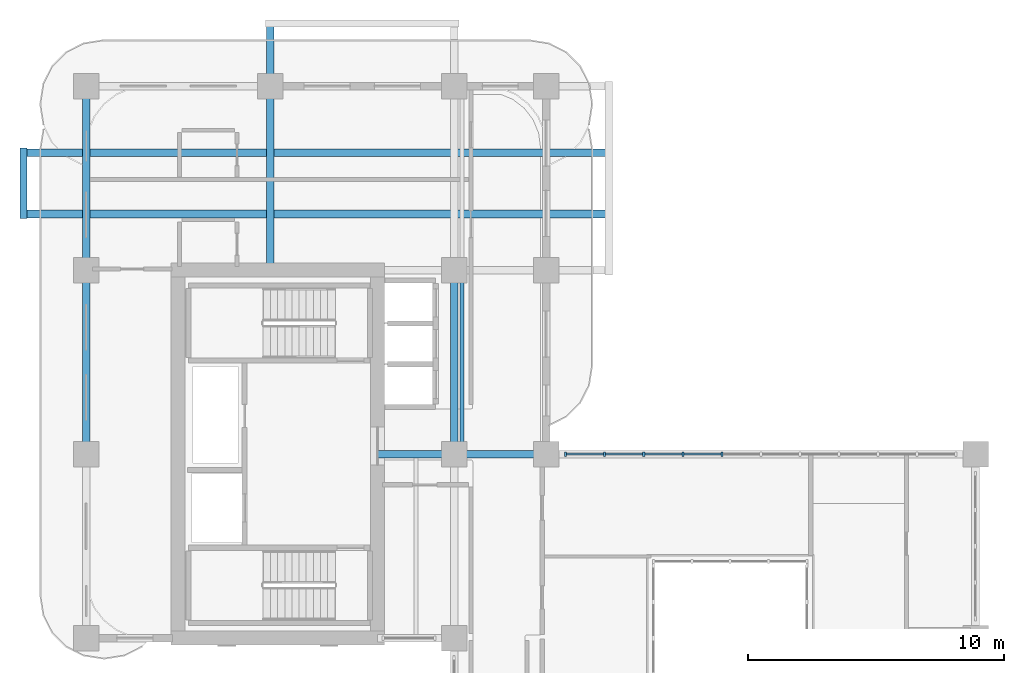
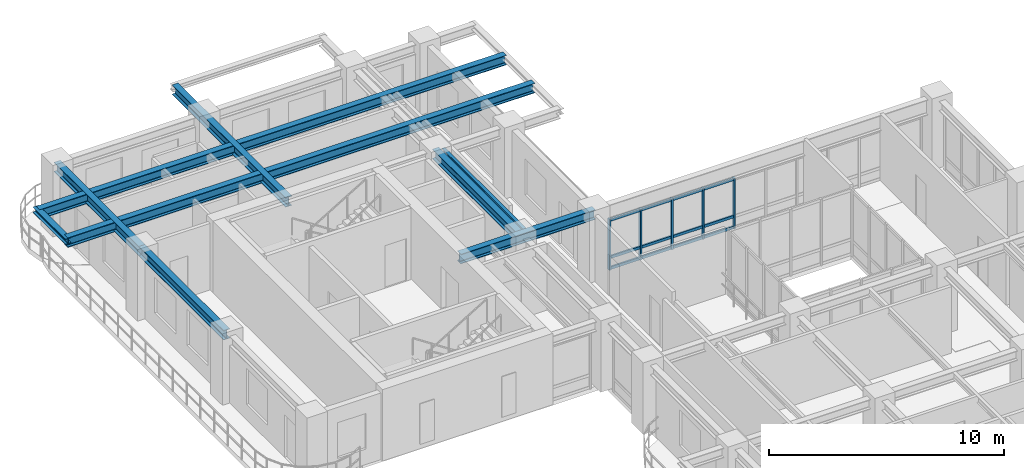
# One storey, part 5 of 20: 17 members, 9 beams, 1 element without a shape of its own.
"""IFC4 building model written with IfcOpenShell, lengths in metres."""

from ifc_helpers import new_model, si_unit, derived_unit, direction, frame, origin, origin_2d, place, context, subcontext, project, spatial, rectangle, i_section, extrude, source, transform, mapped, material, layer, layer_set, material_profile, profile_set, type_object, type_shapes, element, aggregate, save


model = new_model("IFC4")

# Units and contexts
model_context = context("Model", 3, precision=1e-05, world=origin(), true_north=direction((0.0, 1.0)))
body_context = subcontext(model_context, "Body", "Model", "MODEL_VIEW")
ifc_project = project(units=[si_unit("LENGTHUNIT", "METRE"), si_unit("AREAUNIT", "SQUARE_METRE"), si_unit("VOLUMEUNIT", "CUBIC_METRE"), si_unit("PLANEANGLEUNIT", "RADIAN"), si_unit("MASSUNIT", "GRAM", prefix="KILO"), si_unit("THERMODYNAMICTEMPERATUREUNIT", "KELVIN"), si_unit("POWERUNIT", "WATT"), derived_unit("THERMALTRANSMITTANCEUNIT", [(si_unit("POWERUNIT", "WATT"), 1), (si_unit("AREAUNIT", "SQUARE_METRE"), -1), (si_unit("THERMODYNAMICTEMPERATUREUNIT", "KELVIN"), -1)])], contexts=[model_context])

# Site, building, storey
site_placement = place(None, origin())
site = spatial("IfcSite", under=ifc_project, at=site_placement, CompositionType="ELEMENT")
building_placement = place(site_placement, origin())
building = spatial("IfcBuilding", under=site, at=building_placement, Name="Zahravan Archway Hotel and Residences", CompositionType="ELEMENT")
storey_placement = place(building_placement, frame((0.0, 0.0, 126.60009765625)))
storey = spatial("IfcBuildingStorey", under=building, at=storey_placement, Name="L31", CompositionType="ELEMENT", Elevation=126.60009765625)

# Beams
ifc_material_1 = material(Name="Structural Steel S355JR", Category="steel")
ifc_material_profile_1 = material_profile(ifc_material_1, i_section(OverallWidth=0.280029296875, OverallDepth=0.280029296875, WebThickness=0.010498046875, FlangeThickness=0.01806640625, FilletRadius=0.02392578125, at=origin_2d()), Name="HEB 280", Category="steel")
ifc_profile_set_1 = profile_set([ifc_material_profile_1], Name="Structural Steel S355JR")
beam_type_1 = type_object("IfcBeamType", Name="BM-SPN-HEB280", PredefinedType="SPANDREL", material=ifc_profile_set_1)
shared_shape_1 = source(origin(), body_context, "Body", "SweptSolid", [
    extrude(i_section(OverallWidth=0.280029296875, OverallDepth=0.280029296875, WebThickness=0.010498046875, FlangeThickness=0.01806640625, FilletRadius=0.02392578125, at=origin_2d()), origin(), (0.0, 0.0, 1.0), 2.759765625),
])
beam_1_placement = place(storey_placement, frame((-2.449951171875, 41.6201171875, 3.309814453125), z_axis=(0.0, 1.0, 0.0), x_axis=(-1.0, 0.0, 0.0)))
element("IfcBeam", 1, at=beam_1_placement, inside=storey, type_object=beam_type_1, Name="L32 WB Balcony Edge Spandrel", PredefinedType="SPANDREL", context=body_context, shape_type="MappedRepresentation", body=[
    mapped(shared_shape_1, transform((0.0, 0.0, 0.0), scale=1.0)),
])
ifc_material_profile_2 = material_profile(ifc_material_1, i_section(OverallWidth=0.300048828125, OverallDepth=0.5, WebThickness=0.014404296875, FlangeThickness=0.028076171875, FilletRadius=0.027099609375, at=origin_2d()), Name="HEB 500", Category="steel")
ifc_profile_set_2 = profile_set([ifc_material_profile_2], Name="Structural Steel S355JR")
beam_type_2 = type_object("IfcBeamType", Name="BM-PRI-HEB500", PredefinedType="BEAM", material=ifc_profile_set_2)
shared_shape_2 = source(origin(), body_context, "Body", "SweptSolid", [
    extrude(i_section(OverallWidth=0.300048828125, OverallDepth=0.5, WebThickness=0.014404296875, FlangeThickness=0.028076171875, FilletRadius=0.027099609375, at=origin_2d()), origin(), (0.0, 0.0, 1.0), 7.2001953125),
])
type_shapes(beam_type_2, [shared_shape_2])
for number, where, z_axis, x_axis, name in (
    (2, (0.0, 32.39990234375, 3.199951171875), (0.0, 1.0, 0.0), (-1.0, 0.0, 0.0), "L31 Primary Girder NS-25"),
    (3, (14.39990234375, 32.39990234375, 3.199951171875), (0.0, 1.0, 0.0), (-1.0, 0.0, 0.0), "L31 Primary Girder NS-33"),
):
    element("IfcBeam", number, at=place(storey_placement, frame(where, z_axis=z_axis, x_axis=x_axis)), inside=storey, type_object=beam_type_2, Name=name, PredefinedType="BEAM", context=body_context, shape_type="MappedRepresentation", body=[
        mapped(shared_shape_2, transform((0.0, 0.0, 0.0), scale=1.0)),
    ])
shared_shape_3 = source(origin(), body_context, "Body", "SweptSolid", [
    extrude(i_section(OverallWidth=0.300048828125, OverallDepth=0.5, WebThickness=0.014404296875, FlangeThickness=0.028076171875, FilletRadius=0.027099609375, at=origin_2d()), origin(), (0.0, 0.0, 1.0), 7.199951171875),
])
beam_2_placement = place(storey_placement, frame((0.0, 39.60009765625, 3.199951171875), z_axis=(0.0, 1.0, 0.0), x_axis=(-1.0, 0.0, 0.0)))
element("IfcBeam", 4, at=beam_2_placement, inside=storey, type_object=beam_type_2, Name="L31 Primary Girder NS-26", PredefinedType="BEAM", context=body_context, shape_type="MappedRepresentation", body=[
    mapped(shared_shape_3, transform((0.0, 0.0, 0.0), scale=1.0)),
])
shared_shape_4 = source(origin(), body_context, "Body", "SweptSolid", [
    extrude(i_section(OverallWidth=0.300048828125, OverallDepth=0.5, WebThickness=0.014404296875, FlangeThickness=0.028076171875, FilletRadius=0.027099609375, at=origin_2d()), origin(), (0.0, 0.0, 1.0), 6.60009765625),
])
beam_3_placement = place(storey_placement, frame((11.39990234375, 32.39990234375, 3.199951171875), z_axis=(1.0, 0.0, 0.0), x_axis=(0.0, 1.0, 0.0)))
element("IfcBeam", 5, at=beam_3_placement, inside=storey, type_object=beam_type_2, Name="L31 Primary Girder EW-17", PredefinedType="BEAM", context=body_context, shape_type="MappedRepresentation", body=[
    mapped(shared_shape_4, transform((0.0, 0.0, 0.0), scale=1.0)),
])
shared_shape_5 = source(origin(), body_context, "Body", "SweptSolid", [
    extrude(i_section(OverallWidth=0.300048828125, OverallDepth=0.5, WebThickness=0.014404296875, FlangeThickness=0.028076171875, FilletRadius=0.027099609375, at=origin_2d()), origin(), (0.0, 0.0, 1.0), 22.89990234375),
])
for number, where, z_axis, x_axis, name in (
    (6, (-2.449951171875, 41.800048828125, 3.199951171875), (1.0, 0.0, 0.0), (0.0, 1.0, 0.0), "L31 Primary Girder EW-22"),
    (7, (-2.449951171875, 44.199951171875, 3.199951171875), (1.0, 0.0, 0.0), (0.0, 1.0, 0.0), "L31 Primary Girder EW-23"),
):
    element("IfcBeam", number, at=place(storey_placement, frame(where, z_axis=z_axis, x_axis=x_axis)), inside=storey, type_object=beam_type_2, Name=name, PredefinedType="BEAM", context=body_context, shape_type="MappedRepresentation", body=[
        mapped(shared_shape_5, transform((0.0, 0.0, 0.0), scale=1.0)),
    ])
shared_shape_6 = source(origin(), body_context, "Body", "SweptSolid", [
    extrude(i_section(OverallWidth=0.300048828125, OverallDepth=0.5, WebThickness=0.014404296875, FlangeThickness=0.028076171875, FilletRadius=0.027099609375, at=origin_2d()), origin(), (0.0, 0.0, 1.0), 9.64990234375),
])
beam_4_placement = place(storey_placement, frame((7.199951171875, 39.60009765625, 3.199951171875), z_axis=(0.0, 1.0, 0.0), x_axis=(-1.0, 0.0, 0.0)))
element("IfcBeam", 8, at=beam_4_placement, inside=storey, type_object=beam_type_2, Name="L31 Primary Girder NS-27", PredefinedType="BEAM", context=body_context, shape_type="MappedRepresentation", body=[
    mapped(shared_shape_6, transform((0.0, 0.0, 0.0), scale=1.0)),
])
ifc_material_profile_3 = material_profile(ifc_material_1, i_section(OverallWidth=0.159912109375, OverallDepth=0.330078125, WebThickness=0.007568359375, FlangeThickness=0.011474609375, FilletRadius=0.01806640625, at=origin_2d()), Name="IPE 330", Category="steel")
ifc_profile_set_3 = profile_set([ifc_material_profile_3], Name="Structural Steel S355JR")
beam_type_3 = type_object("IfcBeamType", Name="BM-JST-IPE330", PredefinedType="JOIST", material=ifc_profile_set_3)
shared_shape_7 = source(origin(), body_context, "Body", "SweptSolid", [
    extrude(i_section(OverallWidth=0.159912109375, OverallDepth=0.330078125, WebThickness=0.007568359375, FlangeThickness=0.011474609375, FilletRadius=0.01806640625, at=origin_2d()), origin(), (0.0, 0.0, 1.0), 6.90380859375),
])
beam_5_placement = place(storey_placement, frame((14.699951171875, 32.548095703125, 3.284912109375), z_axis=(0.0, 1.0, 0.0), x_axis=(-1.0, 0.0, 0.0)))
element("IfcBeam", 9, at=beam_5_placement, inside=storey, type_object=beam_type_3, Name="L31 Composite Floor Joist 11", PredefinedType="JOIST", context=body_context, shape_type="MappedRepresentation", body=[
    mapped(shared_shape_7, transform((0.0, 0.0, 0.0), scale=1.0)),
])

# Curtain wall, members
ifc_material_2 = material(Name="Bronze-Anodized Unitised Aluminium & Low-E Glass", Category="aluminium")
ifc_layer = layer(ifc_material_2, 0.179931640625, Name="Bronze-Anodized Unitised Aluminium & Low-E Glass", Category="aluminium")
ifc_layer_set = layer_set([ifc_layer], Name="Bronze-Anodized Unitised Aluminium & Low-E Glass")
curtain_wall_type = type_object("IfcCurtainWallType", Name="CW-ATR-GLAZ", PredefinedType="NOTDEFINED", material=ifc_layer_set)
curtain_wall_placement = place(storey_placement, origin())
curtain_wall = element("IfcCurtainWall", 10, at=curtain_wall_placement, inside=storey, type_object=curtain_wall_type, Name="L31 Curtain Wall CW-L31-HNG-N-1", PredefinedType="NOTDEFINED")
ifc_material_3 = material(Name="Bronze-Anodized Extruded Aluminium", Category="aluminium")
ifc_material_profile_4 = material_profile(ifc_material_3, rectangle(XDim=0.080078125, YDim=0.159912109375, at=origin_2d()), Name="MUL 80x160", Category="aluminium")
ifc_profile_set_4 = profile_set([ifc_material_profile_4], Name="Bronze-Anodized Extruded Aluminium")
member_type_1 = type_object("IfcMemberType", Name="CWM-MUL-160", PredefinedType="MULLION", material=ifc_profile_set_4)
shared_shape_8 = source(origin(), body_context, "Body", "SweptSolid", [
    extrude(rectangle(XDim=0.080078125, YDim=0.159912109375, at=origin_2d()), origin(), (0.0, 0.0, 1.0), 2.635009765625),
])
member_1_placement = place(storey_placement, frame((18.760009765625, 32.39990234375, 0.0), z_axis=(0.0, 0.0, 1.0), x_axis=(1.0, 0.0, 0.0)))
member_1 = element("IfcMember", 11, at=member_1_placement, type_object=member_type_1, Name="CW-L31-HNG-N-1 Mullion 0", PredefinedType="MULLION", context=body_context, shape_type="MappedRepresentation", body=[
    mapped(shared_shape_8, transform((0.0, 0.0, 0.0), scale=1.0)),
])
member_2_placement = place(storey_placement, frame((20.2880859375, 32.39990234375, 0.0), z_axis=(0.0, 0.0, 1.0), x_axis=(1.0, 0.0, 0.0)))
member_2 = element("IfcMember", 12, at=member_2_placement, type_object=member_type_1, Name="CW-L31-HNG-N-1 Mullion 1", PredefinedType="MULLION", context=body_context, shape_type="MappedRepresentation", body=[
    mapped(shared_shape_8, transform((0.0, 0.0, 0.0), scale=1.0)),
])
member_3_placement = place(storey_placement, frame((21.81591796875, 32.39990234375, 0.0), z_axis=(0.0, 0.0, 1.0), x_axis=(1.0, 0.0, 0.0)))
member_3 = element("IfcMember", 13, at=member_3_placement, type_object=member_type_1, Name="CW-L31-HNG-N-1 Mullion 2", PredefinedType="MULLION", context=body_context, shape_type="MappedRepresentation", body=[
    mapped(shared_shape_8, transform((0.0, 0.0, 0.0), scale=1.0)),
])
member_4_placement = place(storey_placement, frame((23.343994140625, 32.39990234375, 0.0), z_axis=(0.0, 0.0, 1.0), x_axis=(1.0, 0.0, 0.0)))
member_4 = element("IfcMember", 14, at=member_4_placement, type_object=member_type_1, Name="CW-L31-HNG-N-1 Mullion 3", PredefinedType="MULLION", context=body_context, shape_type="MappedRepresentation", body=[
    mapped(shared_shape_8, transform((0.0, 0.0, 0.0), scale=1.0)),
])
member_5_placement = place(storey_placement, frame((24.8720703125, 32.39990234375, 0.0), z_axis=(0.0, 0.0, 1.0), x_axis=(1.0, 0.0, 0.0)))
member_5 = element("IfcMember", 15, at=member_5_placement, type_object=member_type_1, Name="CW-L31-HNG-N-1 Mullion 4", PredefinedType="MULLION", context=body_context, shape_type="MappedRepresentation", body=[
    mapped(shared_shape_8, transform((0.0, 0.0, 0.0), scale=1.0)),
])
ifc_material_profile_5 = material_profile(ifc_material_3, rectangle(XDim=0.080078125, YDim=0.139892578125, at=origin_2d()), Name="TRN 80x140", Category="aluminium")
ifc_profile_set_5 = profile_set([ifc_material_profile_5], Name="Bronze-Anodized Extruded Aluminium")
member_type_2 = type_object("IfcMemberType", Name="CWM-TRN-140", PredefinedType="USERDEFINED", material=ifc_profile_set_5)
shared_shape_9 = source(origin(), body_context, "Body", "SweptSolid", [
    extrude(rectangle(XDim=0.080078125, YDim=0.139892578125, at=origin_2d()), origin(), (0.0, 0.0, 1.0), 1.447998046875),
])
member_6_placement = place(storey_placement, frame((18.800048828125, 32.39990234375, 0.06982421875), z_axis=(1.0, 0.0, 0.0), x_axis=(0.0, 1.0, 0.0)))
member_6 = element("IfcMember", 16, at=member_6_placement, type_object=member_type_2, Name="CW-L31-HNG-N-1 Transom 0-1", ObjectType="TRANSOM", PredefinedType="USERDEFINED", context=body_context, shape_type="MappedRepresentation", body=[
    mapped(shared_shape_9, transform((0.0, 0.0, 0.0), scale=1.0)),
])
member_7_placement = place(storey_placement, frame((18.800048828125, 32.39990234375, 0.63232421875), z_axis=(1.0, 0.0, 0.0), x_axis=(0.0, 1.0, 0.0)))
member_7 = element("IfcMember", 17, at=member_7_placement, type_object=member_type_2, Name="CW-L31-HNG-N-1 Transom 0-2", ObjectType="TRANSOM", PredefinedType="USERDEFINED", context=body_context, shape_type="MappedRepresentation", body=[
    mapped(shared_shape_9, transform((0.0, 0.0, 0.0), scale=1.0)),
])
member_8_placement = place(storey_placement, frame((18.800048828125, 32.39990234375, 2.56494140625), z_axis=(1.0, 0.0, 0.0), x_axis=(0.0, 1.0, 0.0)))
member_8 = element("IfcMember", 18, at=member_8_placement, type_object=member_type_2, Name="CW-L31-HNG-N-1 Transom 0-3", ObjectType="TRANSOM", PredefinedType="USERDEFINED", context=body_context, shape_type="MappedRepresentation", body=[
    mapped(shared_shape_9, transform((0.0, 0.0, 0.0), scale=1.0)),
])
member_9_placement = place(storey_placement, frame((20.327880859375, 32.39990234375, 0.06982421875), z_axis=(1.0, 0.0, 0.0), x_axis=(0.0, 1.0, 0.0)))
member_9 = element("IfcMember", 19, at=member_9_placement, type_object=member_type_2, Name="CW-L31-HNG-N-1 Transom 1-1", ObjectType="TRANSOM", PredefinedType="USERDEFINED", context=body_context, shape_type="MappedRepresentation", body=[
    mapped(shared_shape_9, transform((0.0, 0.0, 0.0), scale=1.0)),
])
member_10_placement = place(storey_placement, frame((20.327880859375, 32.39990234375, 0.63232421875), z_axis=(1.0, 0.0, 0.0), x_axis=(0.0, 1.0, 0.0)))
member_10 = element("IfcMember", 20, at=member_10_placement, type_object=member_type_2, Name="CW-L31-HNG-N-1 Transom 1-2", ObjectType="TRANSOM", PredefinedType="USERDEFINED", context=body_context, shape_type="MappedRepresentation", body=[
    mapped(shared_shape_9, transform((0.0, 0.0, 0.0), scale=1.0)),
])
member_11_placement = place(storey_placement, frame((20.327880859375, 32.39990234375, 2.56494140625), z_axis=(1.0, 0.0, 0.0), x_axis=(0.0, 1.0, 0.0)))
member_11 = element("IfcMember", 21, at=member_11_placement, type_object=member_type_2, Name="CW-L31-HNG-N-1 Transom 1-3", ObjectType="TRANSOM", PredefinedType="USERDEFINED", context=body_context, shape_type="MappedRepresentation", body=[
    mapped(shared_shape_9, transform((0.0, 0.0, 0.0), scale=1.0)),
])
member_12_placement = place(storey_placement, frame((21.85595703125, 32.39990234375, 0.06982421875), z_axis=(1.0, 0.0, 0.0), x_axis=(0.0, 1.0, 0.0)))
member_12 = element("IfcMember", 22, at=member_12_placement, type_object=member_type_2, Name="CW-L31-HNG-N-1 Transom 2-1", ObjectType="TRANSOM", PredefinedType="USERDEFINED", context=body_context, shape_type="MappedRepresentation", body=[
    mapped(shared_shape_9, transform((0.0, 0.0, 0.0), scale=1.0)),
])
member_13_placement = place(storey_placement, frame((21.85595703125, 32.39990234375, 0.63232421875), z_axis=(1.0, 0.0, 0.0), x_axis=(0.0, 1.0, 0.0)))
member_13 = element("IfcMember", 23, at=member_13_placement, type_object=member_type_2, Name="CW-L31-HNG-N-1 Transom 2-2", ObjectType="TRANSOM", PredefinedType="USERDEFINED", context=body_context, shape_type="MappedRepresentation", body=[
    mapped(shared_shape_9, transform((0.0, 0.0, 0.0), scale=1.0)),
])
member_14_placement = place(storey_placement, frame((21.85595703125, 32.39990234375, 2.56494140625), z_axis=(1.0, 0.0, 0.0), x_axis=(0.0, 1.0, 0.0)))
member_14 = element("IfcMember", 24, at=member_14_placement, type_object=member_type_2, Name="CW-L31-HNG-N-1 Transom 2-3", ObjectType="TRANSOM", PredefinedType="USERDEFINED", context=body_context, shape_type="MappedRepresentation", body=[
    mapped(shared_shape_9, transform((0.0, 0.0, 0.0), scale=1.0)),
])
member_15_placement = place(storey_placement, frame((23.384033203125, 32.39990234375, 0.06982421875), z_axis=(1.0, 0.0, 0.0), x_axis=(0.0, 1.0, 0.0)))
member_15 = element("IfcMember", 25, at=member_15_placement, type_object=member_type_2, Name="CW-L31-HNG-N-1 Transom 3-1", ObjectType="TRANSOM", PredefinedType="USERDEFINED", context=body_context, shape_type="MappedRepresentation", body=[
    mapped(shared_shape_9, transform((0.0, 0.0, 0.0), scale=1.0)),
])
member_16_placement = place(storey_placement, frame((23.384033203125, 32.39990234375, 0.63232421875), z_axis=(1.0, 0.0, 0.0), x_axis=(0.0, 1.0, 0.0)))
member_16 = element("IfcMember", 26, at=member_16_placement, type_object=member_type_2, Name="CW-L31-HNG-N-1 Transom 3-2", ObjectType="TRANSOM", PredefinedType="USERDEFINED", context=body_context, shape_type="MappedRepresentation", body=[
    mapped(shared_shape_9, transform((0.0, 0.0, 0.0), scale=1.0)),
])
member_17_placement = place(storey_placement, frame((23.384033203125, 32.39990234375, 2.56494140625), z_axis=(1.0, 0.0, 0.0), x_axis=(0.0, 1.0, 0.0)))
member_17 = element("IfcMember", 27, at=member_17_placement, type_object=member_type_2, Name="CW-L31-HNG-N-1 Transom 3-3", ObjectType="TRANSOM", PredefinedType="USERDEFINED", context=body_context, shape_type="MappedRepresentation", body=[
    mapped(shared_shape_9, transform((0.0, 0.0, 0.0), scale=1.0)),
])
aggregate(curtain_wall, [member_1, member_2, member_3, member_4, member_5, member_6, member_7, member_8, member_9, member_10, member_11, member_12, member_13, member_14, member_15, member_16, member_17])

save(model, "model.ifc")
